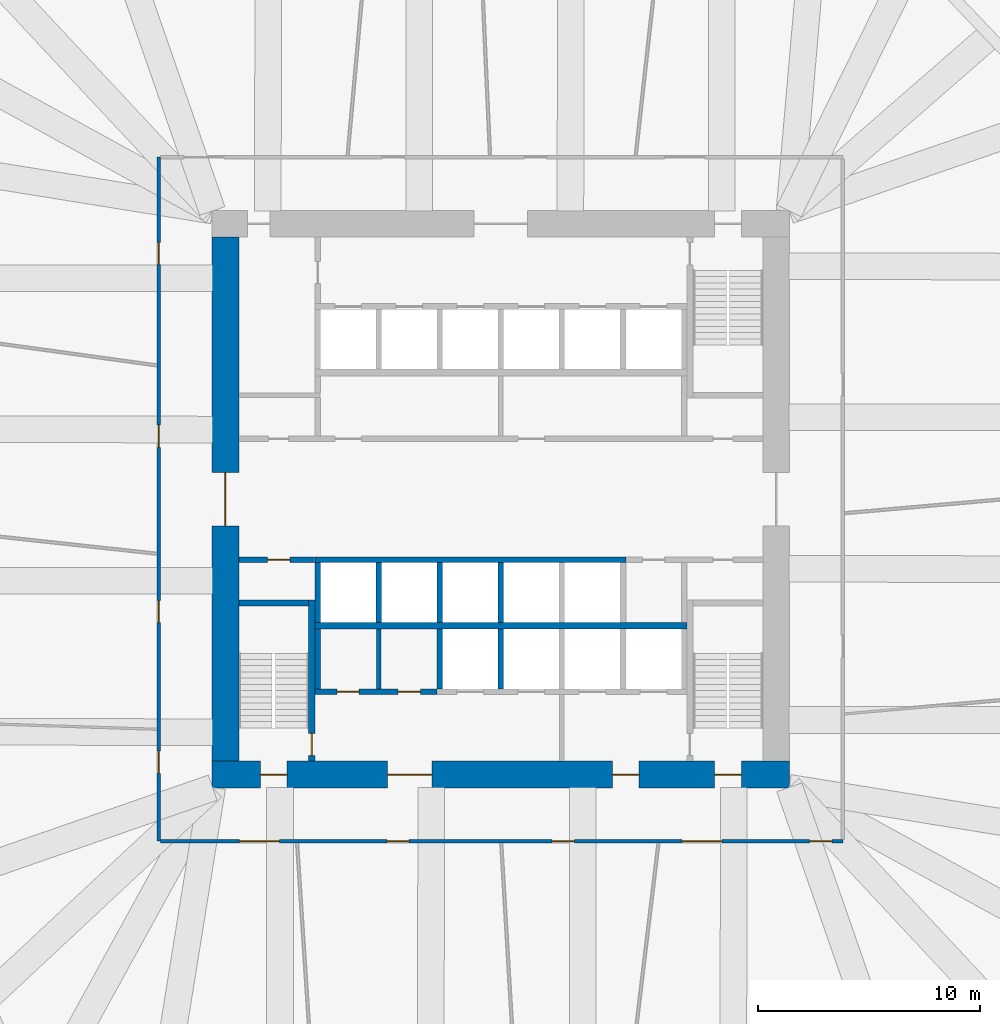
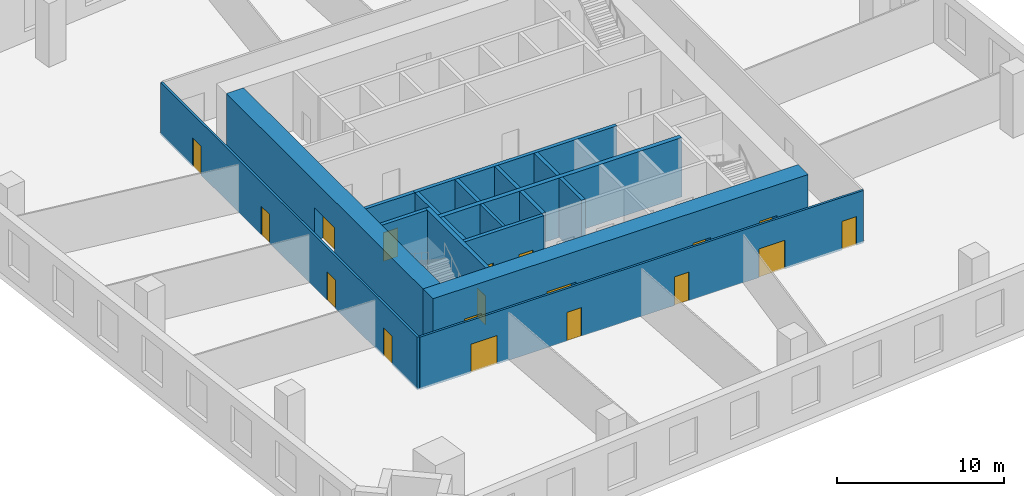
# One storey, part 4 of 10: 18 doors, 18 walls, 18 openings.
"""IFC4 building model written with IfcOpenShell, lengths in metres."""

from ifc_helpers import new_model, si_unit, direction, frame, frame_2d, origin, place, context, subcontext, project, spatial, rectangle, extrude, material, layer, layer_set, type_object, element, fill, save


model = new_model("IFC4")

# Units and contexts
model_context = context("Model", 3, precision=1e-05, world=origin(), true_north=direction((0.0, 1.0)))
body_context = subcontext(model_context, "Body", "Model", "MODEL_VIEW")
ifc_project = project(units=[si_unit("LENGTHUNIT", "METRE"), si_unit("AREAUNIT", "SQUARE_METRE"), si_unit("VOLUMEUNIT", "CUBIC_METRE"), si_unit("PLANEANGLEUNIT", "RADIAN"), si_unit("MASSUNIT", "GRAM", prefix="KILO")], contexts=[model_context])

# Site, building, storey
site_placement = place(None, origin())
site = spatial("IfcSite", under=ifc_project, at=site_placement, CompositionType="ELEMENT")
building_placement = place(site_placement, origin())
building = spatial("IfcBuilding", under=site, at=building_placement, Name="Dilmun Exchange Tower", CompositionType="ELEMENT")
storey_placement = place(building_placement, frame((0.0, 0.0, 46.5)))
storey = spatial("IfcBuildingStorey", under=building, at=storey_placement, Name="L10", CompositionType="ELEMENT", Elevation=46.5)

# Wall
ifc_material_1 = material(Name="Concrete C40/50", Category="concrete")
ifc_layer_1 = layer(ifc_material_1, 0.199951171875)
ifc_layer_set_1 = layer_set([ifc_layer_1], Name="Concrete C40/50")
wall_type_1 = type_object("IfcWallType", Name="Core partition wall 200", PredefinedType="PARTITIONING", material=ifc_layer_set_1)
wall_1_placement = place(storey_placement, frame((-5.5, -8.544921875, 0.0), z_axis=(0.0, 0.0, 1.0), x_axis=(0.0, 1.0, 0.0)))
element("IfcWall", 1, at=wall_1_placement, inside=storey, type_object=wall_type_1, Name="L10 core partition wall 04", PredefinedType="PARTITIONING", context=body_context, shape_type="SweptSolid", body=[
    extrude(rectangle(XDim=2.68994140625, YDim=0.199951171875, at=frame_2d((1.344970703125, 0.0))), origin(), (0.0, 0.0, 1.0), 4.35009765625),
])

# Wall, openings, doors
ifc_layer_2 = layer(ifc_material_1, 0.25)
ifc_layer_set_2 = layer_set([ifc_layer_2], Name="Concrete C40/50")
wall_type_2 = type_object("IfcWallType", Name="Core partition wall 250", PredefinedType="PARTITIONING", material=ifc_layer_set_2)
wall_2_placement = place(storey_placement, frame((-8.3701171875, -8.675048828125, 0.0), z_axis=(0.0, 0.0, 1.0), x_axis=(1.0, 0.0, 0.0)))
wall_2 = element("IfcWall", 2, at=wall_2_placement, inside=storey, type_object=wall_type_2, Name="L10 core partition wall 02", PredefinedType="PARTITIONING", context=body_context, shape_type="SweptSolid", body=[
    extrude(rectangle(XDim=5.490234375, YDim=0.25, at=frame_2d((2.7451171875, 0.0))), origin(), (0.0, 0.0, 1.0), 4.35009765625),
])
opening_1_placement = place(wall_2_placement, frame((0.9951171875, 0.0, 0.0)))
opening_1 = element("IfcOpeningElement", 3, at=opening_1_placement, cuts=wall_2, Name="Opening CD4", PredefinedType="OPENING", context=body_context, shape_type="SweptSolid", body=[
    extrude(rectangle(XDim=1.0, YDim=2.10009765625, at=frame_2d((0.5, 1.050048828125))), frame((0.0, 0.135009765625, 0.0), z_axis=(0.0, -1.0, 0.0), x_axis=(1.0, 0.0, 0.0)), (0.0, 0.0, 1.0), 0.27001953125),
])
opening_2_placement = place(wall_2_placement, frame((3.7451171875, 0.0, 0.0)))
opening_2 = element("IfcOpeningElement", 4, at=opening_2_placement, cuts=wall_2, Name="Opening CD4", PredefinedType="OPENING", context=body_context, shape_type="SweptSolid", body=[
    extrude(rectangle(XDim=1.0, YDim=2.10009765625, at=frame_2d((0.5, 1.050048828125))), frame((0.0, 0.135009765625, 0.0), z_axis=(0.0, -1.0, 0.0), x_axis=(1.0, 0.0, 0.0)), (0.0, 0.0, 1.0), 0.27001953125),
])
ifc_material_2 = material(Name="Fire-rated steel door set", Category="steel")
door_type_1 = type_object("IfcDoorType", Name="Core room door 1000x2100", OperationType="SINGLE_SWING_LEFT", PredefinedType="DOOR", material=ifc_material_2)
door_1_placement = place(opening_1_placement, origin())
door_1 = element("IfcDoor", 5, at=door_1_placement, inside=storey, type_object=door_type_1, Name="L10 door Male WC", OperationType="SINGLE_SWING_LEFT", OverallHeight=2.10009765625, OverallWidth=1.0, PredefinedType="DOOR", context=body_context, shape_type="SweptSolid", body=[
    extrude(rectangle(XDim=1.0, YDim=2.10009765625, at=frame_2d((0.5, 1.050048828125))), frame((0.0, 0.02490234375, 0.0), z_axis=(0.0, -1.0, 0.0), x_axis=(1.0, 0.0, 0.0)), (0.0, 0.0, 1.0), 0.050048828125),
])
fill(opening_1, door_1)
door_2_placement = place(opening_2_placement, origin())
door_2 = element("IfcDoor", 6, at=door_2_placement, inside=storey, type_object=door_type_1, Name="L10 door Female WC", OperationType="SINGLE_SWING_LEFT", OverallHeight=2.10009765625, OverallWidth=1.0, PredefinedType="DOOR", context=body_context, shape_type="SweptSolid", body=[
    extrude(rectangle(XDim=1.0, YDim=2.10009765625, at=frame_2d((0.5, 1.050048828125))), frame((0.0, 0.02490234375, 0.0), z_axis=(0.0, -1.0, 0.0), x_axis=(1.0, 0.0, 0.0)), (0.0, 0.0, 1.0), 0.050048828125),
])
fill(opening_2, door_2)

# Wall
wall_3_placement = place(storey_placement, frame((-8.25, -8.544921875, 0.0), z_axis=(0.0, 0.0, 1.0), x_axis=(0.0, 1.0, 0.0)))
element("IfcWall", 7, at=wall_3_placement, inside=storey, type_object=wall_type_2, Name="L10 core partition wall 03", PredefinedType="PARTITIONING", context=body_context, shape_type="SweptSolid", body=[
    extrude(rectangle(XDim=2.68994140625, YDim=0.25, at=frame_2d((1.344970703125, 0.0))), origin(), (0.0, 0.0, 1.0), 4.35009765625),
])

# Wall, opening, door
wall_4_placement = place(storey_placement, frame((-11.794921875, -2.72509765625, 0.0), z_axis=(0.0, 0.0, 1.0), x_axis=(1.0, 0.0, 0.0)))
wall_4 = element("IfcWall", 8, at=wall_4_placement, inside=storey, type_object=wall_type_2, Name="L10 core partition wall 06", PredefinedType="PARTITIONING", context=body_context, shape_type="SweptSolid", body=[
    extrude(rectangle(XDim=3.4150390625, YDim=0.25, at=frame_2d((1.70751953125, 0.0))), origin(), (0.0, 0.0, 1.0), 4.35009765625),
])
opening_3_placement = place(wall_4_placement, frame((1.294921875, 0.0, 0.0)))
opening_3 = element("IfcOpeningElement", 9, at=opening_3_placement, cuts=wall_4, Name="Opening CD4", PredefinedType="OPENING", context=body_context, shape_type="SweptSolid", body=[
    extrude(rectangle(XDim=1.0, YDim=2.10009765625, at=frame_2d((0.5, 1.050048828125))), frame((0.0, 0.135009765625, 0.0), z_axis=(0.0, -1.0, 0.0), x_axis=(1.0, 0.0, 0.0)), (0.0, 0.0, 1.0), 0.27001953125),
])
door_3_placement = place(opening_3_placement, origin())
door_3 = element("IfcDoor", 10, at=door_3_placement, inside=storey, type_object=door_type_1, Name="L10 door Accessible WC", OperationType="SINGLE_SWING_LEFT", OverallHeight=2.10009765625, OverallWidth=1.0, PredefinedType="DOOR", context=body_context, shape_type="SweptSolid", body=[
    extrude(rectangle(XDim=1.0, YDim=2.10009765625, at=frame_2d((0.5, 1.050048828125))), frame((0.0, 0.02490234375, 0.0), z_axis=(0.0, -1.0, 0.0), x_axis=(1.0, 0.0, 0.0)), (0.0, 0.0, 1.0), 0.050048828125),
])
fill(opening_3, door_3)

# Wall, openings, doors
ifc_material_3 = material(Name="Concrete C80/95", Category="concrete")
ifc_layer_3 = layer(ifc_material_3, 1.199951171875)
ifc_layer_set_3 = layer_set([ifc_layer_3], Name="Concrete C80/95")
wall_type_3 = type_object("IfcWallType", Name="Core shear wall 1200 Concrete C80/95", PredefinedType="SHEAR", material=ifc_layer_set_3)
wall_5_placement = place(storey_placement, frame((-13.0, -12.39990234375, 0.0), z_axis=(0.0, 0.0, 1.0), x_axis=(1.0, 0.0, 0.0)))
wall_5 = element("IfcWall", 11, at=wall_5_placement, inside=storey, type_object=wall_type_3, Name="L10 core shear wall S", PredefinedType="SHEAR", context=body_context, shape_type="SweptSolid", body=[
    extrude(rectangle(XDim=26.0, YDim=1.199951171875, at=frame_2d((13.0, 0.0))), origin(), (0.0, 0.0, 1.0), 4.35009765625),
])
opening_4_placement = place(wall_5_placement, frame((7.89990234375, 0.0, 0.0)))
opening_4 = element("IfcOpeningElement", 12, at=opening_4_placement, cuts=wall_5, Name="Opening CD2", PredefinedType="OPENING", context=body_context, shape_type="SweptSolid", body=[
    extrude(rectangle(XDim=2.0, YDim=2.10009765625, at=frame_2d((1.0, 1.050048828125))), frame((0.0, 0.60986328125, 0.0), z_axis=(0.0, -1.0, 0.0), x_axis=(1.0, 0.0, 0.0)), (0.0, 0.0, 1.0), 1.219970703125),
])
opening_5_placement = place(wall_5_placement, frame((18.02490234375, 0.0, 0.0)))
opening_5 = element("IfcOpeningElement", 13, at=opening_5_placement, cuts=wall_5, Name="Opening CD3", PredefinedType="OPENING", context=body_context, shape_type="SweptSolid", body=[
    extrude(rectangle(XDim=1.199951171875, YDim=2.10009765625, at=frame_2d((0.60009765625, 1.050048828125))), frame((0.0, 0.60986328125, 0.0), z_axis=(0.0, -1.0, 0.0), x_axis=(1.0, 0.0, 0.0)), (0.0, 0.0, 1.0), 1.219970703125),
])
opening_6_placement = place(wall_5_placement, frame((2.175048828125, 0.0, 0.0)))
opening_6 = element("IfcOpeningElement", 14, at=opening_6_placement, cuts=wall_5, Name="Opening CD3", PredefinedType="OPENING", context=body_context, shape_type="SweptSolid", body=[
    extrude(rectangle(XDim=1.199951171875, YDim=2.10009765625, at=frame_2d((0.60009765625, 1.050048828125))), frame((0.0, 0.60986328125, 0.0), z_axis=(0.0, -1.0, 0.0), x_axis=(1.0, 0.0, 0.0)), (0.0, 0.0, 1.0), 1.219970703125),
])
opening_7_placement = place(wall_5_placement, frame((22.625, 0.0, 0.0)))
opening_7 = element("IfcOpeningElement", 15, at=opening_7_placement, cuts=wall_5, Name="Opening CD3", PredefinedType="OPENING", context=body_context, shape_type="SweptSolid", body=[
    extrude(rectangle(XDim=1.199951171875, YDim=2.10009765625, at=frame_2d((0.60009765625, 1.050048828125))), frame((0.0, 0.60986328125, 0.0), z_axis=(0.0, -1.0, 0.0), x_axis=(1.0, 0.0, 0.0)), (0.0, 0.0, 1.0), 1.219970703125),
])
door_type_2 = type_object("IfcDoorType", Name="Core service door 2000x2100", OperationType="DOUBLE_DOOR_DOUBLE_SWING", PredefinedType="DOOR", material=ifc_material_2)
door_4_placement = place(opening_4_placement, origin())
door_4 = element("IfcDoor", 16, at=door_4_placement, inside=storey, type_object=door_type_2, Name="L10 door South service lobby", OperationType="SINGLE_SWING_LEFT", OverallHeight=2.10009765625, OverallWidth=2.0, PredefinedType="DOOR", context=body_context, shape_type="SweptSolid", body=[
    extrude(rectangle(XDim=2.0, YDim=2.10009765625, at=frame_2d((1.0, 1.050048828125))), frame((0.0, 0.02490234375, 0.0), z_axis=(0.0, -1.0, 0.0), x_axis=(1.0, 0.0, 0.0)), (0.0, 0.0, 1.0), 0.050048828125),
])
fill(opening_4, door_4)
door_type_3 = type_object("IfcDoorType", Name="Stair exit door 1200x2100", OperationType="SINGLE_SWING_LEFT", PredefinedType="DOOR", material=ifc_material_2)
door_5_placement = place(opening_5_placement, origin())
door_5 = element("IfcDoor", 17, at=door_5_placement, inside=storey, type_object=door_type_3, Name="L10 door Fire-fighting lobby", OperationType="SINGLE_SWING_LEFT", OverallHeight=2.10009765625, OverallWidth=1.199951171875, PredefinedType="DOOR", context=body_context, shape_type="SweptSolid", body=[
    extrude(rectangle(XDim=1.199951171875, YDim=2.10009765625, at=frame_2d((0.60009765625, 1.050048828125))), frame((0.0, 0.02490234375, 0.0), z_axis=(0.0, -1.0, 0.0), x_axis=(1.0, 0.0, 0.0)), (0.0, 0.0, 1.0), 0.050048828125),
])
fill(opening_5, door_5)
door_6_placement = place(opening_6_placement, origin())
door_6 = element("IfcDoor", 18, at=door_6_placement, inside=storey, type_object=door_type_3, Name="L10 door Stair ST2", OperationType="SINGLE_SWING_LEFT", OverallHeight=2.10009765625, OverallWidth=1.199951171875, PredefinedType="DOOR", context=body_context, shape_type="SweptSolid", body=[
    extrude(rectangle(XDim=1.199951171875, YDim=2.10009765625, at=frame_2d((0.60009765625, 1.050048828125))), frame((0.0, 0.02490234375, 0.0), z_axis=(0.0, -1.0, 0.0), x_axis=(1.0, 0.0, 0.0)), (0.0, 0.0, 1.0), 0.050048828125),
])
fill(opening_6, door_6)
door_7_placement = place(opening_7_placement, origin())
door_7 = element("IfcDoor", 19, at=door_7_placement, inside=storey, type_object=door_type_3, Name="L10 door Stair ST3", OperationType="SINGLE_SWING_LEFT", OverallHeight=2.10009765625, OverallWidth=1.199951171875, PredefinedType="DOOR", context=body_context, shape_type="SweptSolid", body=[
    extrude(rectangle(XDim=1.199951171875, YDim=2.10009765625, at=frame_2d((0.60009765625, 1.050048828125))), frame((0.0, 0.02490234375, 0.0), z_axis=(0.0, -1.0, 0.0), x_axis=(1.0, 0.0, 0.0)), (0.0, 0.0, 1.0), 0.050048828125),
])
fill(opening_7, door_7)

# Wall, opening, door
wall_6_placement = place(storey_placement, frame((-12.39990234375, -11.800048828125, 0.0), z_axis=(0.0, 0.0, 1.0), x_axis=(0.0, 1.0, 0.0)))
wall_6 = element("IfcWall", 20, at=wall_6_placement, inside=storey, type_object=wall_type_3, Name="L10 core shear wall W", PredefinedType="SHEAR", context=body_context, shape_type="SweptSolid", body=[
    extrude(rectangle(XDim=23.60009765625, YDim=1.199951171875, at=frame_2d((11.800048828125, 0.0))), origin(), (0.0, 0.0, 1.0), 4.35009765625),
])
opening_8_placement = place(wall_6_placement, frame((10.60009765625, 0.0, 0.0)))
opening_8 = element("IfcOpeningElement", 21, at=opening_8_placement, cuts=wall_6, Name="Opening CD1", PredefinedType="OPENING", context=body_context, shape_type="SweptSolid", body=[
    extrude(rectangle(XDim=2.39990234375, YDim=2.39990234375, at=frame_2d((1.199951171875, 1.199951171875))), frame((0.0, 0.60986328125, 0.0), z_axis=(0.0, -1.0, 0.0), x_axis=(1.0, 0.0, 0.0)), (0.0, 0.0, 1.0), 1.219970703125),
])
door_type_4 = type_object("IfcDoorType", Name="Core lobby door 2400x2400", OperationType="DOUBLE_DOOR_DOUBLE_SWING", PredefinedType="DOOR", material=ifc_material_2)
door_8_placement = place(opening_8_placement, origin())
door_8 = element("IfcDoor", 22, at=door_8_placement, inside=storey, type_object=door_type_4, Name="L10 door Central lift lobby", OperationType="SINGLE_SWING_LEFT", OverallHeight=2.39990234375, OverallWidth=2.39990234375, PredefinedType="DOOR", context=body_context, shape_type="SweptSolid", body=[
    extrude(rectangle(XDim=2.39990234375, YDim=2.39990234375, at=frame_2d((1.199951171875, 1.199951171875))), frame((0.0, 0.02490234375, 0.0), z_axis=(0.0, -1.0, 0.0), x_axis=(1.0, 0.0, 0.0)), (0.0, 0.0, 1.0), 0.050048828125),
])
fill(opening_8, door_8)

# Wall, openings, doors
ifc_material_4 = material(Name="Corridor wall 150")
ifc_layer_4 = layer(ifc_material_4, 0.14990234375)
ifc_layer_set_4 = layer_set([ifc_layer_4], Name="Corridor wall 150")
wall_type_4 = type_object("IfcWallType", Name="Corridor wall 150", PredefinedType="PARTITIONING", material=ifc_layer_set_4)
wall_7_placement = place(storey_placement, frame((-15.39990234375, -15.39990234375, 0.0), z_axis=(0.0, 0.0, 1.0), x_axis=(0.0, 1.0, 0.0)))
wall_7 = element("IfcWall", 23, at=wall_7_placement, inside=storey, type_object=wall_type_4, Name="Corridor wall", PredefinedType="PARTITIONING", context=body_context, shape_type="SweptSolid", body=[
    extrude(rectangle(XDim=30.7998046875, YDim=0.14990234375, at=frame_2d((15.39990234375, 0.0))), origin(), (0.0, 0.0, 1.0), 3.85009765625),
])
opening_9_placement = place(wall_7_placement, frame((17.7353515625, 0.0, 0.0)))
opening_9 = element("IfcOpeningElement", 24, at=opening_9_placement, cuts=wall_7, Name="Opening TF08-D01", PredefinedType="OPENING", context=body_context, shape_type="SweptSolid", body=[
    extrude(rectangle(XDim=1.0, YDim=2.10009765625, at=frame_2d((0.5, 1.050048828125))), frame((0.0, 0.0849609375, 0.0), z_axis=(0.0, -1.0, 0.0), x_axis=(1.0, 0.0, 0.0)), (0.0, 0.0, 1.0), 0.169921875),
])
opening_10_placement = place(wall_7_placement, frame((9.8359375, 0.0, 0.0)))
opening_10 = element("IfcOpeningElement", 25, at=opening_10_placement, cuts=wall_7, Name="Opening TF08-D02", PredefinedType="OPENING", context=body_context, shape_type="SweptSolid", body=[
    extrude(rectangle(XDim=1.0, YDim=2.10009765625, at=frame_2d((0.5, 1.050048828125))), frame((0.0, 0.0849609375, 0.0), z_axis=(0.0, -1.0, 0.0), x_axis=(1.0, 0.0, 0.0)), (0.0, 0.0, 1.0), 0.169921875),
])
opening_11_placement = place(wall_7_placement, frame((25.960205078125, 0.0, 0.0)))
opening_11 = element("IfcOpeningElement", 26, at=opening_11_placement, cuts=wall_7, Name="Opening TF08-D04", PredefinedType="OPENING", context=body_context, shape_type="SweptSolid", body=[
    extrude(rectangle(XDim=1.0, YDim=2.10009765625, at=frame_2d((0.5, 1.050048828125))), frame((0.0, 0.0849609375, 0.0), z_axis=(0.0, -1.0, 0.0), x_axis=(1.0, 0.0, 0.0)), (0.0, 0.0, 1.0), 0.169921875),
])
opening_12_placement = place(wall_7_placement, frame((3.050048828125, 0.0, 0.0)))
opening_12 = element("IfcOpeningElement", 27, at=opening_12_placement, cuts=wall_7, Name="Opening TF08-D06", PredefinedType="OPENING", context=body_context, shape_type="SweptSolid", body=[
    extrude(rectangle(XDim=1.0, YDim=2.10009765625, at=frame_2d((0.5, 1.050048828125))), frame((0.0, 0.0849609375, 0.0), z_axis=(0.0, -1.0, 0.0), x_axis=(1.0, 0.0, 0.0)), (0.0, 0.0, 1.0), 0.169921875),
])
ifc_material_5 = material(Name="Fire door 1000 x 2100")
door_type_5 = type_object("IfcDoorType", Name="Fire door 1000 x 2100", OperationType="NOTDEFINED", PredefinedType="DOOR", material=ifc_material_5)
door_9_placement = place(opening_9_placement, origin())
door_9 = element("IfcDoor", 28, at=door_9_placement, inside=storey, type_object=door_type_5, Name="Door TF08-D01", OperationType="SINGLE_SWING_LEFT", OverallHeight=2.10009765625, OverallWidth=1.0, PredefinedType="DOOR", context=body_context, shape_type="SweptSolid", body=[
    extrude(rectangle(XDim=1.0, YDim=2.10009765625, at=frame_2d((0.5, 1.050048828125))), frame((0.0, 0.02490234375, 0.0), z_axis=(0.0, -1.0, 0.0), x_axis=(1.0, 0.0, 0.0)), (0.0, 0.0, 1.0), 0.050048828125),
])
fill(opening_9, door_9)
door_10_placement = place(opening_10_placement, origin())
door_10 = element("IfcDoor", 29, at=door_10_placement, inside=storey, type_object=door_type_5, Name="Door TF08-D02", OperationType="SINGLE_SWING_RIGHT", OverallHeight=2.10009765625, OverallWidth=1.0, PredefinedType="DOOR", context=body_context, shape_type="SweptSolid", body=[
    extrude(rectangle(XDim=1.0, YDim=2.10009765625, at=frame_2d((0.5, 1.050048828125))), frame((0.0, 0.02490234375, 0.0), z_axis=(0.0, -1.0, 0.0), x_axis=(1.0, 0.0, 0.0)), (0.0, 0.0, 1.0), 0.050048828125),
])
fill(opening_10, door_10)
door_11_placement = place(opening_11_placement, origin())
door_11 = element("IfcDoor", 30, at=door_11_placement, inside=storey, type_object=door_type_5, Name="Door TF08-D04", OperationType="SINGLE_SWING_LEFT", OverallHeight=2.10009765625, OverallWidth=1.0, PredefinedType="DOOR", context=body_context, shape_type="SweptSolid", body=[
    extrude(rectangle(XDim=1.0, YDim=2.10009765625, at=frame_2d((0.5, 1.050048828125))), frame((0.0, 0.02490234375, 0.0), z_axis=(0.0, -1.0, 0.0), x_axis=(1.0, 0.0, 0.0)), (0.0, 0.0, 1.0), 0.050048828125),
])
fill(opening_11, door_11)
door_12_placement = place(opening_12_placement, origin())
door_12 = element("IfcDoor", 31, at=door_12_placement, inside=storey, type_object=door_type_5, Name="Door TF08-D06", OperationType="SINGLE_SWING_LEFT", OverallHeight=2.10009765625, OverallWidth=1.0, PredefinedType="DOOR", context=body_context, shape_type="SweptSolid", body=[
    extrude(rectangle(XDim=1.0, YDim=2.10009765625, at=frame_2d((0.5, 1.050048828125))), frame((0.0, 0.02490234375, 0.0), z_axis=(0.0, -1.0, 0.0), x_axis=(1.0, 0.0, 0.0)), (0.0, 0.0, 1.0), 0.050048828125),
])
fill(opening_12, door_12)

wall_8_placement = place(storey_placement, frame((-15.324951171875, -15.39990234375, 0.0), z_axis=(0.0, 0.0, 1.0), x_axis=(1.0, 0.0, 0.0)))
wall_8 = element("IfcWall", 32, at=wall_8_placement, inside=storey, type_object=wall_type_4, Name="Corridor wall", PredefinedType="PARTITIONING", context=body_context, shape_type="SweptSolid", body=[
    extrude(rectangle(XDim=30.724853515625, YDim=0.14990234375, at=frame_2d((15.3623046875, 0.0))), origin(), (0.0, 0.0, 1.0), 3.85009765625),
])
opening_13_placement = place(wall_8_placement, frame((3.550048828125, 0.0, 0.0)))
opening_13 = element("IfcOpeningElement", 33, at=opening_13_placement, cuts=wall_8, Name="Opening TF08-D05", PredefinedType="OPENING", context=body_context, shape_type="SweptSolid", body=[
    extrude(rectangle(XDim=1.800048828125, YDim=2.10009765625, at=frame_2d((0.89990234375, 1.050048828125))), frame((0.0, 0.0849609375, 0.0), z_axis=(0.0, -1.0, 0.0), x_axis=(1.0, 0.0, 0.0)), (0.0, 0.0, 1.0), 0.169921875),
])
opening_14_placement = place(wall_8_placement, frame((10.196044921875, 0.0, 0.0)))
opening_14 = element("IfcOpeningElement", 34, at=opening_14_placement, cuts=wall_8, Name="Opening TF08-D07", PredefinedType="OPENING", context=body_context, shape_type="SweptSolid", body=[
    extrude(rectangle(XDim=1.0, YDim=2.10009765625, at=frame_2d((0.5, 1.050048828125))), frame((0.0, 0.0849609375, 0.0), z_axis=(0.0, -1.0, 0.0), x_axis=(1.0, 0.0, 0.0)), (0.0, 0.0, 1.0), 0.169921875),
])
opening_15_placement = place(wall_8_placement, frame((17.638427734375, 0.0, 0.0)))
opening_15 = element("IfcOpeningElement", 35, at=opening_15_placement, cuts=wall_8, Name="Opening TF08-D10", PredefinedType="OPENING", context=body_context, shape_type="SweptSolid", body=[
    extrude(rectangle(XDim=1.0, YDim=2.10009765625, at=frame_2d((0.5, 1.050048828125))), frame((0.0, 0.0849609375, 0.0), z_axis=(0.0, -1.0, 0.0), x_axis=(1.0, 0.0, 0.0)), (0.0, 0.0, 1.0), 0.169921875),
])
opening_16_placement = place(wall_8_placement, frame((23.4775390625, 0.0, 0.0)))
opening_16 = element("IfcOpeningElement", 36, at=opening_16_placement, cuts=wall_8, Name="Opening TF08-D13", PredefinedType="OPENING", context=body_context, shape_type="SweptSolid", body=[
    extrude(rectangle(XDim=1.800048828125, YDim=2.10009765625, at=frame_2d((0.89990234375, 1.050048828125))), frame((0.0, 0.0849609375, 0.0), z_axis=(0.0, -1.0, 0.0), x_axis=(1.0, 0.0, 0.0)), (0.0, 0.0, 1.0), 0.169921875),
])
opening_17_placement = place(wall_8_placement, frame((29.2275390625, 0.0, 0.0)))
opening_17 = element("IfcOpeningElement", 37, at=opening_17_placement, cuts=wall_8, Name="Opening TF08-D14", PredefinedType="OPENING", context=body_context, shape_type="SweptSolid", body=[
    extrude(rectangle(XDim=1.0, YDim=2.10009765625, at=frame_2d((0.5, 1.050048828125))), frame((0.0, 0.0849609375, 0.0), z_axis=(0.0, -1.0, 0.0), x_axis=(1.0, 0.0, 0.0)), (0.0, 0.0, 1.0), 0.169921875),
])
door_13_placement = place(opening_14_placement, frame((1.0, 0.0, 0.0), z_axis=(0.0, 0.0, 1.0), x_axis=(-1.0, 0.0, 0.0)))
door_13 = element("IfcDoor", 38, at=door_13_placement, inside=storey, type_object=door_type_5, Name="Door TF08-D07", OperationType="SINGLE_SWING_RIGHT", OverallHeight=2.10009765625, OverallWidth=1.0, PredefinedType="DOOR", context=body_context, shape_type="SweptSolid", body=[
    extrude(rectangle(XDim=1.0, YDim=2.10009765625, at=frame_2d((0.5, 1.050048828125))), frame((0.0, 0.02490234375, 0.0), z_axis=(0.0, -1.0, 0.0), x_axis=(1.0, 0.0, 0.0)), (0.0, 0.0, 1.0), 0.050048828125),
])
fill(opening_14, door_13)
door_14_placement = place(opening_15_placement, frame((1.0, 0.0, 0.0), z_axis=(0.0, 0.0, 1.0), x_axis=(-1.0, 0.0, 0.0)))
door_14 = element("IfcDoor", 39, at=door_14_placement, inside=storey, type_object=door_type_5, Name="Door TF08-D10", OperationType="SINGLE_SWING_RIGHT", OverallHeight=2.10009765625, OverallWidth=1.0, PredefinedType="DOOR", context=body_context, shape_type="SweptSolid", body=[
    extrude(rectangle(XDim=1.0, YDim=2.10009765625, at=frame_2d((0.5, 1.050048828125))), frame((0.0, 0.02490234375, 0.0), z_axis=(0.0, -1.0, 0.0), x_axis=(1.0, 0.0, 0.0)), (0.0, 0.0, 1.0), 0.050048828125),
])
fill(opening_15, door_14)
door_15_placement = place(opening_17_placement, frame((1.0, 0.0, 0.0), z_axis=(0.0, 0.0, 1.0), x_axis=(-1.0, 0.0, 0.0)))
door_15 = element("IfcDoor", 40, at=door_15_placement, inside=storey, type_object=door_type_5, Name="Door TF08-D14", OperationType="SINGLE_SWING_LEFT", OverallHeight=2.10009765625, OverallWidth=1.0, PredefinedType="DOOR", context=body_context, shape_type="SweptSolid", body=[
    extrude(rectangle(XDim=1.0, YDim=2.10009765625, at=frame_2d((0.5, 1.050048828125))), frame((0.0, 0.02490234375, 0.0), z_axis=(0.0, -1.0, 0.0), x_axis=(1.0, 0.0, 0.0)), (0.0, 0.0, 1.0), 0.050048828125),
])
fill(opening_17, door_15)
ifc_material_6 = material(Name="Fire door pair 1800 x 2100")
door_type_6 = type_object("IfcDoorType", Name="Fire door pair 1800 x 2100", OperationType="NOTDEFINED", PredefinedType="DOOR", material=ifc_material_6)
door_16_placement = place(opening_13_placement, frame((1.800048828125, 0.0, 0.0), z_axis=(0.0, 0.0, 1.0), x_axis=(-1.0, 0.0, 0.0)))
door_16 = element("IfcDoor", 41, at=door_16_placement, inside=storey, type_object=door_type_6, Name="Door TF08-D05", OperationType="DOUBLE_DOOR_SINGLE_SWING", OverallHeight=2.10009765625, OverallWidth=1.800048828125, PredefinedType="DOOR", context=body_context, shape_type="SweptSolid", body=[
    extrude(rectangle(XDim=1.800048828125, YDim=2.10009765625, at=frame_2d((0.89990234375, 1.050048828125))), frame((0.0, 0.02490234375, 0.0), z_axis=(0.0, -1.0, 0.0), x_axis=(1.0, 0.0, 0.0)), (0.0, 0.0, 1.0), 0.050048828125),
])
fill(opening_13, door_16)
door_17_placement = place(opening_16_placement, frame((1.800048828125, 0.0, 0.0), z_axis=(0.0, 0.0, 1.0), x_axis=(-1.0, 0.0, 0.0)))
door_17 = element("IfcDoor", 42, at=door_17_placement, inside=storey, type_object=door_type_6, Name="Door TF08-D13", OperationType="DOUBLE_DOOR_SINGLE_SWING", OverallHeight=2.10009765625, OverallWidth=1.800048828125, PredefinedType="DOOR", context=body_context, shape_type="SweptSolid", body=[
    extrude(rectangle(XDim=1.800048828125, YDim=2.10009765625, at=frame_2d((0.89990234375, 1.050048828125))), frame((0.0, 0.02490234375, 0.0), z_axis=(0.0, -1.0, 0.0), x_axis=(1.0, 0.0, 0.0)), (0.0, 0.0, 1.0), 0.050048828125),
])
fill(opening_16, door_17)

# Walls
ifc_layer_5 = layer(ifc_material_1, 0.300048828125)
ifc_layer_set_5 = layer_set([ifc_layer_5], Name="Concrete C40/50")
wall_type_5 = type_object("IfcWallType", Name="Lift shaft shared wall 300", PredefinedType="SOLIDWALL", material=ifc_layer_set_5)
wall_9_placement = place(storey_placement, frame((-8.375, -5.699951171875, 0.0), z_axis=(0.0, 0.0, 1.0), x_axis=(1.0, 0.0, 0.0)))
element("IfcWall", 43, at=wall_9_placement, inside=storey, type_object=wall_type_5, Name="L10 lift shaft rear wall S", PredefinedType="SOLIDWALL", context=body_context, shape_type="SweptSolid", body=[
    extrude(rectangle(XDim=16.75, YDim=0.300048828125, at=frame_2d((8.375, 0.0))), origin(), (0.0, 0.0, 1.0), 4.35009765625),
])
ifc_layer_6 = layer(ifc_material_1, 0.25)
ifc_layer_set_6 = layer_set([ifc_layer_6], Name="Concrete C40/50")
wall_type_6 = type_object("IfcWallType", Name="Lift shaft wall 250", PredefinedType="SOLIDWALL", material=ifc_layer_set_6)
wall_10_placement = place(storey_placement, frame((-8.375, -2.72509765625, 0.0), z_axis=(0.0, 0.0, 1.0), x_axis=(1.0, 0.0, 0.0)))
element("IfcWall", 44, at=wall_10_placement, inside=storey, type_object=wall_type_6, Name="L10 lift shaft front wall S1", PredefinedType="SOLIDWALL", context=body_context, shape_type="SweptSolid", body=[
    extrude(rectangle(XDim=14.0, YDim=0.25, at=frame_2d((7.0, 0.0))), origin(), (0.0, 0.0, 1.0), 4.35009765625),
])
for number, where, z_axis, x_axis, name in (
    (45, (-8.25, -5.550048828125, 0.0), (0.0, 0.0, 1.0), (0.0, 1.0, 0.0), "L10 lift shaft divider S10"),
    (46, (-5.5, -5.550048828125, 0.0), (0.0, 0.0, 1.0), (0.0, 1.0, 0.0), "L10 lift shaft divider S11"),
    (47, (-2.75, -5.550048828125, 0.0), (0.0, 0.0, 1.0), (0.0, 1.0, 0.0), "L10 lift shaft divider S12"),
    (48, (0.0, -5.550048828125, 0.0), (0.0, 0.0, 1.0), (0.0, 1.0, 0.0), "L10 lift shaft divider S13"),
    (49, (-2.75, -8.550048828125, 0.0), (0.0, 0.0, 1.0), (0.0, 1.0, 0.0), "L10 lift shaft divider S22"),
    (50, (0.0, -8.550048828125, 0.0), (0.0, 0.0, 1.0), (0.0, 1.0, 0.0), "L10 lift shaft divider S23"),
):
    element("IfcWall", number, at=place(storey_placement, frame(where, z_axis=z_axis, x_axis=x_axis)), inside=storey, type_object=wall_type_6, Name=name, PredefinedType="SOLIDWALL", context=body_context, shape_type="SweptSolid", body=[
        extrude(rectangle(XDim=2.699951171875, YDim=0.25, at=frame_2d((1.35009765625, 0.0))), origin(), (0.0, 0.0, 1.0), 4.35009765625),
    ])
ifc_layer_7 = layer(ifc_material_1, 0.25)
ifc_layer_set_7 = layer_set([ifc_layer_7], Name="Concrete C40/50")
wall_type_7 = type_object("IfcWallType", Name="Stair end wall 250", PredefinedType="SOLIDWALL", material=ifc_layer_set_7)
wall_11_placement = place(storey_placement, frame((-8.64990234375, -4.675048828125, 0.0), z_axis=(0.0, 0.0, 1.0), x_axis=(-1.0, 0.0, 0.0)))
element("IfcWall", 51, at=wall_11_placement, inside=storey, type_object=wall_type_7, Name="L10 ST2 far wall", PredefinedType="SOLIDWALL", context=body_context, shape_type="SweptSolid", body=[
    extrude(rectangle(XDim=3.150146484375, YDim=0.25, at=frame_2d((1.5751953125, 0.0))), origin(), (0.0, 0.0, 1.0), 4.35009765625),
])

# Wall, opening, door
ifc_layer_8 = layer(ifc_material_1, 0.27490234375)
ifc_layer_set_8 = layer_set([ifc_layer_8], Name="Concrete C40/50")
wall_type_8 = type_object("IfcWallType", Name="Stair wall 275", PredefinedType="SOLIDWALL", material=ifc_layer_set_8)
wall_12_placement = place(storey_placement, frame((-8.512451171875, -4.550048828125, 0.0), z_axis=(0.0, 0.0, 1.0), x_axis=(0.0, -1.0, 0.0)))
wall_12 = element("IfcWall", 52, at=wall_12_placement, inside=storey, type_object=wall_type_8, Name="L10 ST2 wall to lift block", PredefinedType="SOLIDWALL", context=body_context, shape_type="SweptSolid", body=[
    extrude(rectangle(XDim=7.25, YDim=0.27490234375, at=frame_2d((3.625, 0.0))), origin(), (0.0, 0.0, 1.0), 4.35009765625),
])
opening_18_placement = place(wall_12_placement, frame((6.0, 0.0, 0.0)))
opening_18 = element("IfcOpeningElement", 53, at=opening_18_placement, cuts=wall_12, Name="Opening CD4", PredefinedType="OPENING", context=body_context, shape_type="SweptSolid", body=[
    extrude(rectangle(XDim=1.0, YDim=2.10009765625, at=frame_2d((0.5, 1.050048828125))), frame((0.0, 0.1474609375, 0.0), z_axis=(0.0, -1.0, 0.0), x_axis=(1.0, 0.0, 0.0)), (0.0, 0.0, 1.0), 0.294921875),
])
door_18_placement = place(opening_18_placement, origin())
door_18 = element("IfcDoor", 54, at=door_18_placement, inside=storey, type_object=door_type_1, Name="L10 door ST2 from lobby", OperationType="SINGLE_SWING_LEFT", OverallHeight=2.10009765625, OverallWidth=1.0, PredefinedType="DOOR", context=body_context, shape_type="SweptSolid", body=[
    extrude(rectangle(XDim=1.0, YDim=2.10009765625, at=frame_2d((0.5, 1.050048828125))), frame((0.0, 0.02490234375, 0.0), z_axis=(0.0, -1.0, 0.0), x_axis=(1.0, 0.0, 0.0)), (0.0, 0.0, 1.0), 0.050048828125),
])
fill(opening_18, door_18)

save(model, "model.ifc")
